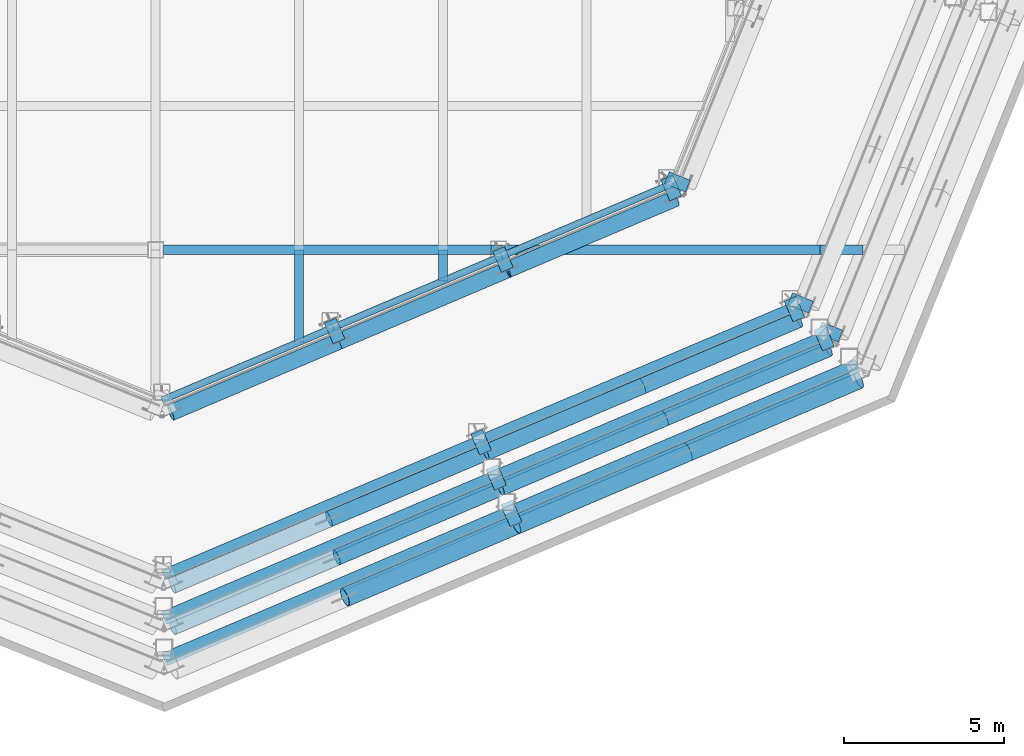
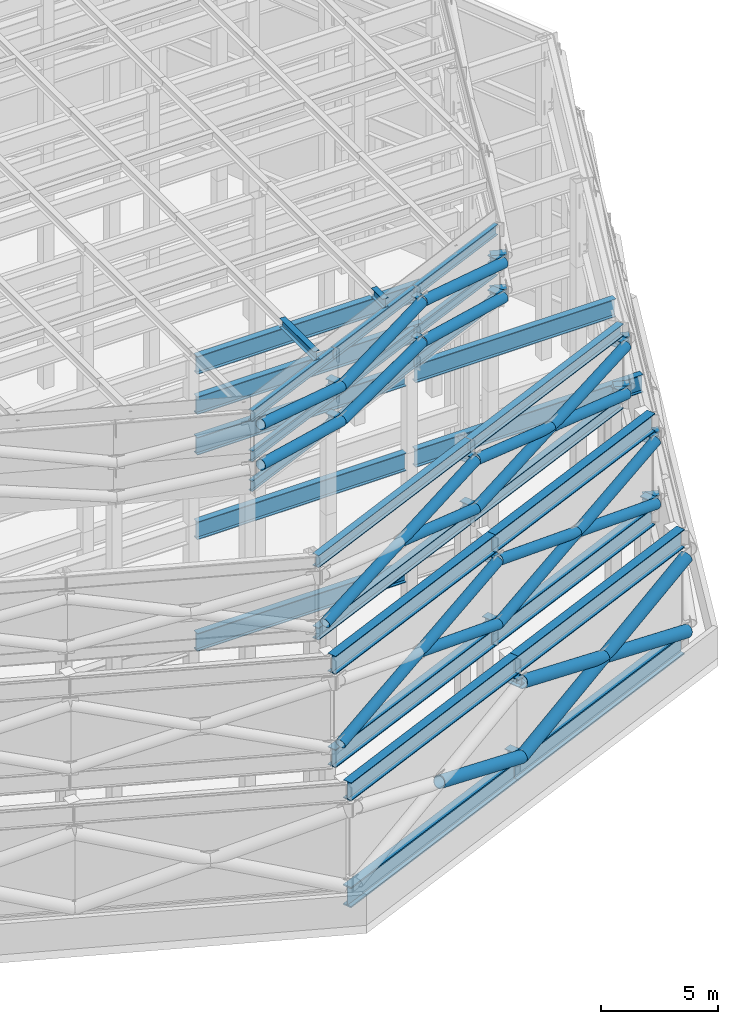
# One storey, part 6 of 19: 42 members, 30 beams.
"""IFC4 building model written with IfcOpenShell, lengths in metres."""

from ifc_helpers import new_model, si_unit, direction, frame, origin, origin_2d, place, context, subcontext, project, spatial, hollow_circle, i_section, extrude, material, material_profile, profile_set, type_object, element, save


model = new_model("IFC4")

# Units and contexts
model_context = context("Model", 3, precision=1e-05, world=origin(), true_north=direction((0.0, 1.0)))
body_context = subcontext(model_context, "Body", "Model", "MODEL_VIEW")
ifc_project = project(units=[si_unit("LENGTHUNIT", "METRE"), si_unit("AREAUNIT", "SQUARE_METRE"), si_unit("VOLUMEUNIT", "CUBIC_METRE"), si_unit("PLANEANGLEUNIT", "RADIAN"), si_unit("MASSUNIT", "GRAM", prefix="KILO")], contexts=[model_context])

# Site, building, storey
site_placement = place(None, origin())
site = spatial("IfcSite", under=ifc_project, at=site_placement, CompositionType="ELEMENT")
building_placement = place(site_placement, origin())
building = spatial("IfcBuilding", under=site, at=building_placement, Name="Orlundy Tower", CompositionType="ELEMENT")
storey_placement = place(building_placement, frame((0.0, 0.0, 304.300048828125)))
storey = spatial("IfcBuildingStorey", under=building, at=storey_placement, Name="Roof", CompositionType="ELEMENT", Elevation=304.300048828125)

# Beams
ifc_material_1 = material(Name="Steel ASTM A992 Gr 50", Category="steel")
ifc_material_profile_1 = material_profile(ifc_material_1, i_section(OverallWidth=0.2802734375, OverallDepth=0.46240234375, WebThickness=0.0107421875, FlangeThickness=0.017333984375, at=origin_2d()), Name="W18X76")
ifc_profile_set_1 = profile_set([ifc_material_profile_1], Name="Steel ASTM A992 Gr 50")
beam_type_1 = type_object("IfcBeamType", Name="CROWN FRAME beam W18X76", PredefinedType="BEAM", material=ifc_profile_set_1)
beam_1_placement = place(storey_placement, frame((4.5, -20.889404296875, 21.131103515625), z_axis=(0.0, 1.0, 0.0), x_axis=(-1.0, 0.0, 0.0)))
element("IfcBeam", 1, at=beam_1_placement, inside=storey, type_object=beam_type_1, Name="CROWN FRAME secondary beam 07A", PredefinedType="BEAM", context=body_context, shape_type="SweptSolid", body=[
    extrude(i_section(OverallWidth=0.2802734375, OverallDepth=0.46240234375, WebThickness=0.0107421875, FlangeThickness=0.017333984375, at=origin_2d()), origin(), (0.0, 0.0, 1.0), 2.889404296875),
])
beam_2_placement = place(storey_placement, frame((9.0, -18.97900390625, 21.131103515625), z_axis=(0.0, 1.0, 0.0), x_axis=(-1.0, 0.0, 0.0)))
element("IfcBeam", 2, at=beam_2_placement, inside=storey, type_object=beam_type_1, Name="CROWN FRAME secondary beam 08A", PredefinedType="BEAM", context=body_context, shape_type="SweptSolid", body=[
    extrude(i_section(OverallWidth=0.2802734375, OverallDepth=0.46240234375, WebThickness=0.0107421875, FlangeThickness=0.017333984375, at=origin_2d()), origin(), (0.0, 0.0, 1.0), 0.97900390625),
])
ifc_material_2 = material(Name="Steel ASTM A992 Gr 50", Category="steel")
ifc_material_profile_2 = material_profile(ifc_material_2, i_section(OverallWidth=0.2138671875, OverallDepth=0.549072265625, WebThickness=0.0146484375, FlangeThickness=0.023681640625, at=origin_2d()), Name="W21X93")
ifc_profile_set_2 = profile_set([ifc_material_profile_2], Name="Steel ASTM A992 Gr 50")
beam_type_2 = type_object("IfcBeamType", Name="CROWN FRAME beam W21X93", PredefinedType="BEAM", material=ifc_profile_set_2)
beam_3_placement = place(storey_placement, frame((0.198486328125, -22.715087890625, 16.974365234375), z_axis=(0.920508748756, 0.390721951602, 0.0), x_axis=(-0.390721951602, 0.920508748756, 0.0)))
element("IfcBeam", 3, at=beam_3_placement, inside=storey, type_object=beam_type_2, Name="CROWN FRAME foot ring beam 4-16", PredefinedType="BEAM", context=body_context, shape_type="SweptSolid", body=[
    extrude(i_section(OverallWidth=0.2138671875, OverallDepth=0.549072265625, WebThickness=0.0146484375, FlangeThickness=0.023681640625, at=origin_2d()), origin(), (0.0, 0.0, 1.0), 5.82861328125),
])
beam_4_placement = place(storey_placement, frame((5.563720703125, -20.437744140625, 16.974365234375), z_axis=(0.920499581139, 0.390743549049, 0.0), x_axis=(-0.390743549049, 0.920499581139, 0.0)))
element("IfcBeam", 4, at=beam_4_placement, inside=storey, type_object=beam_type_2, Name="CROWN FRAME foot ring beam 4-17", PredefinedType="BEAM", context=body_context, shape_type="SweptSolid", body=[
    extrude(i_section(OverallWidth=0.2138671875, OverallDepth=0.549072265625, WebThickness=0.0146484375, FlangeThickness=0.023681640625, at=origin_2d()), origin(), (0.0, 0.0, 1.0), 5.72900390625),
])
for number, where, z_axis, x_axis, name in (
    (5, (10.837158203125, -18.19921875, 16.974365234375), (0.920508748756, 0.390721951602, 0.0), (-0.390721951602, 0.920508748756, 0.0), "CROWN FRAME foot ring beam 4-18"),
    (6, (0.198486328125, -22.715087890625, 18.525390625), (0.920508748756, 0.390721951602, 0.0), (-0.390721951602, 0.920508748756, 0.0), "CROWN FRAME head ring beam 4-16"),
):
    element("IfcBeam", number, at=place(storey_placement, frame(where, z_axis=z_axis, x_axis=x_axis)), inside=storey, type_object=beam_type_2, Name=name, PredefinedType="BEAM", context=body_context, shape_type="SweptSolid", body=[
        extrude(i_section(OverallWidth=0.2138671875, OverallDepth=0.549072265625, WebThickness=0.0146484375, FlangeThickness=0.023681640625, at=origin_2d()), origin(), (0.0, 0.0, 1.0), 5.82861328125),
    ])
beam_5_placement = place(storey_placement, frame((5.563720703125, -20.437744140625, 18.525390625), z_axis=(0.920499581139, 0.390743549049, 0.0), x_axis=(-0.390743549049, 0.920499581139, 0.0)))
element("IfcBeam", 7, at=beam_5_placement, inside=storey, type_object=beam_type_2, Name="CROWN FRAME head ring beam 4-17", PredefinedType="BEAM", context=body_context, shape_type="SweptSolid", body=[
    extrude(i_section(OverallWidth=0.2138671875, OverallDepth=0.549072265625, WebThickness=0.0146484375, FlangeThickness=0.023681640625, at=origin_2d()), origin(), (0.0, 0.0, 1.0), 5.72900390625),
])
for number, where, z_axis, x_axis, name in (
    (8, (10.837158203125, -18.19921875, 18.525390625), (0.920508748756, 0.390721951602, 0.0), (-0.390721951602, 0.920508748756, 0.0), "CROWN FRAME head ring beam 4-18"),
    (9, (0.198486328125, -22.715087890625, 20.62548828125), (0.920508748756, 0.390721951602, 0.0), (-0.390721951602, 0.920508748756, 0.0), "CROWN FRAME head ring beam 5-16"),
):
    element("IfcBeam", number, at=place(storey_placement, frame(where, z_axis=z_axis, x_axis=x_axis)), inside=storey, type_object=beam_type_2, Name=name, PredefinedType="BEAM", context=body_context, shape_type="SweptSolid", body=[
        extrude(i_section(OverallWidth=0.2138671875, OverallDepth=0.549072265625, WebThickness=0.0146484375, FlangeThickness=0.023681640625, at=origin_2d()), origin(), (0.0, 0.0, 1.0), 5.82861328125),
    ])
beam_6_placement = place(storey_placement, frame((5.563720703125, -20.437744140625, 20.62548828125), z_axis=(0.920499581139, 0.390743549049, 0.0), x_axis=(-0.390743549049, 0.920499581139, 0.0)))
element("IfcBeam", 10, at=beam_6_placement, inside=storey, type_object=beam_type_2, Name="CROWN FRAME head ring beam 5-17", PredefinedType="BEAM", context=body_context, shape_type="SweptSolid", body=[
    extrude(i_section(OverallWidth=0.2138671875, OverallDepth=0.549072265625, WebThickness=0.0146484375, FlangeThickness=0.023681640625, at=origin_2d()), origin(), (0.0, 0.0, 1.0), 5.72900390625),
])
beam_7_placement = place(storey_placement, frame((10.837158203125, -18.19921875, 20.62548828125), z_axis=(0.920508748756, 0.390721951602, 0.0), x_axis=(-0.390721951602, 0.920508748756, 0.0)))
element("IfcBeam", 11, at=beam_7_placement, inside=storey, type_object=beam_type_2, Name="CROWN FRAME head ring beam 5-18", PredefinedType="BEAM", context=body_context, shape_type="SweptSolid", body=[
    extrude(i_section(OverallWidth=0.2138671875, OverallDepth=0.549072265625, WebThickness=0.0146484375, FlangeThickness=0.023681640625, at=origin_2d()), origin(), (0.0, 0.0, 1.0), 5.82861328125),
])
ifc_material_3 = material(Name="Steel ASTM A992 Gr 50", Category="steel")
ifc_material_profile_3 = material_profile(ifc_material_3, i_section(OverallWidth=0.3291015625, OverallDepth=0.635009765625, WebThickness=0.017822265625, FlangeThickness=0.031005859375, at=origin_2d()), Name="W24X162")
ifc_profile_set_3 = profile_set([ifc_material_profile_3], Name="Steel ASTM A992 Gr 50")
beam_type_3 = type_object("IfcBeamType", Name="CROWN FRAME beam W24X162", PredefinedType="BEAM", material=ifc_profile_set_3)
for number, where, z_axis, x_axis, name in (
    (12, (0.24609375, -28.189208984375, 12.617431640625), (0.920509030245, 0.390721288437, 0.0), (-0.390721288437, 0.920509030245, 0.0), "CROWN FRAME foot ring beam 3-11"),
    (13, (10.176513671875, -23.97412109375, 12.617431640625), (0.920500890656, 0.39074046412, 0.0), (-0.39074046412, 0.920500890656, 0.0), "CROWN FRAME foot ring beam 3-12"),
    (14, (0.24609375, -28.189208984375, 16.382568359375), (0.920509030245, 0.390721288437, 0.0), (-0.390721288437, 0.920509030245, 0.0), "CROWN FRAME head ring beam 3-11"),
    (15, (10.176513671875, -23.97412109375, 16.382568359375), (0.920500890656, 0.39074046412, 0.0), (-0.39074046412, 0.920500890656, 0.0), "CROWN FRAME head ring beam 3-12"),
):
    element("IfcBeam", number, at=place(storey_placement, frame(where, z_axis=z_axis, x_axis=x_axis)), inside=storey, type_object=beam_type_3, Name=name, PredefinedType="BEAM", context=body_context, shape_type="SweptSolid", body=[
        extrude(i_section(OverallWidth=0.3291015625, OverallDepth=0.635009765625, WebThickness=0.017822265625, FlangeThickness=0.031005859375, at=origin_2d()), origin(), (0.0, 0.0, 1.0), 10.7880859375),
    ])
ifc_material_4 = material(Name="Steel ASTM A992 Gr 50", Category="steel")
ifc_material_profile_4 = material_profile(ifc_material_4, i_section(OverallWidth=0.3076171875, OverallDepth=0.9267578125, WebThickness=0.01953125, FlangeThickness=0.031982421875, at=origin_2d()), Name="W36X194")
ifc_profile_set_4 = profile_set([ifc_material_profile_4], Name="Steel ASTM A992 Gr 50")
beam_type_4 = type_object("IfcBeamType", Name="CROWN FRAME beam W36X194", PredefinedType="BEAM", material=ifc_profile_set_4)
for number, where, z_axis, x_axis, name in (
    (16, (0.228515625, -18.0, 6.03662109375), (1.0, 0.0, 0.0), (0.0, 1.0, 0.0), "CROWN FRAME primary beam 1B frame 1"),
    (17, (0.228515625, -18.0, 11.836669921875), (1.0, 0.0, 0.0), (0.0, 1.0, 0.0), "CROWN FRAME primary beam 1B frame 2"),
):
    element("IfcBeam", number, at=place(storey_placement, frame(where, z_axis=z_axis, x_axis=x_axis)), inside=storey, type_object=beam_type_4, Name=name, PredefinedType="BEAM", context=body_context, shape_type="SweptSolid", body=[
        extrude(i_section(OverallWidth=0.3076171875, OverallDepth=0.9267578125, WebThickness=0.01953125, FlangeThickness=0.031982421875, at=origin_2d()), origin(), (0.0, 0.0, 1.0), 10.285888671875),
    ])
beam_8_placement = place(storey_placement, frame((10.971435546875, -18.0, 11.836669921875), z_axis=(1.0, 0.0, 0.0), x_axis=(0.0, 1.0, 0.0)))
element("IfcBeam", 18, at=beam_8_placement, inside=storey, type_object=beam_type_4, Name="CROWN FRAME primary beam 1C frame 2", PredefinedType="BEAM", context=body_context, shape_type="SweptSolid", body=[
    extrude(i_section(OverallWidth=0.3076171875, OverallDepth=0.9267578125, WebThickness=0.01953125, FlangeThickness=0.031982421875, at=origin_2d()), origin(), (0.0, 0.0, 1.0), 11.19091796875),
])
beam_9_placement = place(storey_placement, frame((0.228515625, -18.0, 16.236572265625), z_axis=(1.0, 0.0, 0.0), x_axis=(0.0, 1.0, 0.0)))
element("IfcBeam", 19, at=beam_9_placement, inside=storey, type_object=beam_type_4, Name="CROWN FRAME primary beam 1B frame 3", PredefinedType="BEAM", context=body_context, shape_type="SweptSolid", body=[
    extrude(i_section(OverallWidth=0.3076171875, OverallDepth=0.9267578125, WebThickness=0.01953125, FlangeThickness=0.031982421875, at=origin_2d()), origin(), (0.0, 0.0, 1.0), 10.285888671875),
])
beam_10_placement = place(storey_placement, frame((10.971435546875, -18.0, 16.236572265625), z_axis=(1.0, 0.0, 0.0), x_axis=(0.0, 1.0, 0.0)))
element("IfcBeam", 20, at=beam_10_placement, inside=storey, type_object=beam_type_4, Name="CROWN FRAME primary beam 1C frame 3", PredefinedType="BEAM", context=body_context, shape_type="SweptSolid", body=[
    extrude(i_section(OverallWidth=0.3076171875, OverallDepth=0.9267578125, WebThickness=0.01953125, FlangeThickness=0.031982421875, at=origin_2d()), origin(), (0.0, 0.0, 1.0), 9.845947265625),
])
for number, where, z_axis, x_axis, name in (
    (21, (0.228515625, -18.0, 18.336669921875), (1.0, 0.0, 0.0), (0.0, 1.0, 0.0), "CROWN FRAME primary beam 1B frame 4"),
    (22, (0.228515625, -18.0, 20.4365234375), (1.0, 0.0, 0.0), (0.0, 1.0, 0.0), "CROWN FRAME primary beam 1B frame 5"),
):
    element("IfcBeam", number, at=place(storey_placement, frame(where, z_axis=z_axis, x_axis=x_axis)), inside=storey, type_object=beam_type_4, Name=name, PredefinedType="BEAM", context=body_context, shape_type="SweptSolid", body=[
        extrude(i_section(OverallWidth=0.3076171875, OverallDepth=0.9267578125, WebThickness=0.01953125, FlangeThickness=0.031982421875, at=origin_2d()), origin(), (0.0, 0.0, 1.0), 11.078125),
    ])
ifc_material_5 = material(Name="Steel ASTM A992 Gr 50", Category="steel")
ifc_material_profile_5 = material_profile(ifc_material_5, i_section(OverallWidth=0.423095703125, OverallDepth=0.947265625, WebThickness=0.02392578125, FlangeThickness=0.042724609375, at=origin_2d()), Name="W36X302")
ifc_profile_set_5 = profile_set([ifc_material_profile_5], Name="Steel ASTM A992 Gr 50")
beam_type_5 = type_object("IfcBeamType", Name="CROWN FRAME beam W36X302", PredefinedType="BEAM", material=ifc_profile_set_5)
beam_11_placement = place(storey_placement, frame((0.269287109375, -30.837890625, 6.0263671875), z_axis=(0.920503781258, 0.390733654412, 0.0), x_axis=(-0.390733654412, 0.920503781258, 0.0)))
element("IfcBeam", 23, at=beam_11_placement, inside=storey, type_object=beam_type_5, Name="CROWN FRAME head ring beam 1-11", PredefinedType="BEAM", context=body_context, shape_type="SweptSolid", body=[
    extrude(i_section(OverallWidth=0.423095703125, OverallDepth=0.947265625, WebThickness=0.02392578125, FlangeThickness=0.042724609375, at=origin_2d()), origin(), (0.0, 0.0, 1.0), 11.8017578125),
])
beam_12_placement = place(storey_placement, frame((11.1328125, -26.2265625, 6.0263671875), z_axis=(0.920500622845, 0.390741095026, 0.0), x_axis=(-0.390741095026, 0.920500622845, 0.0)))
element("IfcBeam", 24, at=beam_12_placement, inside=storey, type_object=beam_type_5, Name="CROWN FRAME head ring beam 1-12", PredefinedType="BEAM", context=body_context, shape_type="SweptSolid", body=[
    extrude(i_section(OverallWidth=0.423095703125, OverallDepth=0.947265625, WebThickness=0.02392578125, FlangeThickness=0.042724609375, at=origin_2d()), origin(), (0.0, 0.0, 1.0), 11.801513671875),
])
beam_13_placement = place(storey_placement, frame((0.2578125, -29.5390625, 6.9736328125), z_axis=(0.92050011589, 0.390742289299, 0.0), x_axis=(-0.390742289299, 0.92050011589, 0.0)))
element("IfcBeam", 25, at=beam_13_placement, inside=storey, type_object=beam_type_5, Name="CROWN FRAME foot ring beam 2-11", PredefinedType="BEAM", context=body_context, shape_type="SweptSolid", body=[
    extrude(i_section(OverallWidth=0.423095703125, OverallDepth=0.947265625, WebThickness=0.02392578125, FlangeThickness=0.042724609375, at=origin_2d()), origin(), (0.0, 0.0, 1.0), 11.3046875),
])
beam_14_placement = place(storey_placement, frame((10.663818359375, -25.121826171875, 6.9736328125), z_axis=(0.920504586369, 0.390731757698, 0.0), x_axis=(-0.390731757698, 0.920504586369, 0.0)))
element("IfcBeam", 26, at=beam_14_placement, inside=storey, type_object=beam_type_5, Name="CROWN FRAME foot ring beam 2-12", PredefinedType="BEAM", context=body_context, shape_type="SweptSolid", body=[
    extrude(i_section(OverallWidth=0.423095703125, OverallDepth=0.947265625, WebThickness=0.02392578125, FlangeThickness=0.042724609375, at=origin_2d()), origin(), (0.0, 0.0, 1.0), 11.304443359375),
])
beam_15_placement = place(storey_placement, frame((0.2578125, -29.5390625, 11.826416015625), z_axis=(0.92050011589, 0.390742289299, 0.0), x_axis=(-0.390742289299, 0.92050011589, 0.0)))
element("IfcBeam", 27, at=beam_15_placement, inside=storey, type_object=beam_type_5, Name="CROWN FRAME head ring beam 2-11", PredefinedType="BEAM", context=body_context, shape_type="SweptSolid", body=[
    extrude(i_section(OverallWidth=0.423095703125, OverallDepth=0.947265625, WebThickness=0.02392578125, FlangeThickness=0.042724609375, at=origin_2d()), origin(), (0.0, 0.0, 1.0), 11.3046875),
])
beam_16_placement = place(storey_placement, frame((10.663818359375, -25.121826171875, 11.826416015625), z_axis=(0.920504586369, 0.390731757698, 0.0), x_axis=(-0.390731757698, 0.920504586369, 0.0)))
element("IfcBeam", 28, at=beam_16_placement, inside=storey, type_object=beam_type_5, Name="CROWN FRAME head ring beam 2-12", PredefinedType="BEAM", context=body_context, shape_type="SweptSolid", body=[
    extrude(i_section(OverallWidth=0.423095703125, OverallDepth=0.947265625, WebThickness=0.02392578125, FlangeThickness=0.042724609375, at=origin_2d()), origin(), (0.0, 0.0, 1.0), 11.304443359375),
])
ifc_material_6 = material(Name="Steel ASTM A992 Gr 50", Category="steel")
ifc_material_profile_6 = material_profile(ifc_material_6, i_section(OverallWidth=0.41650390625, OverallDepth=1.068115234375, WebThickness=0.0390625, FlangeThickness=0.070068359375, at=origin_2d()), Name="W40X503")
ifc_profile_set_6 = profile_set([ifc_material_profile_6], Name="Steel ASTM A992 Gr 50")
beam_type_6 = type_object("IfcBeamType", Name="CROWN FRAME beam W40X503", PredefinedType="BEAM", material=ifc_profile_set_6)
beam_17_placement = place(storey_placement, frame((0.269287109375, -30.834228515625, 0.533935546875), z_axis=(0.92050715321, 0.390725710556, 0.0), x_axis=(-0.390725710556, 0.92050715321, 0.0)))
element("IfcBeam", 29, at=beam_17_placement, inside=storey, type_object=beam_type_6, Name="CROWN FRAME foot ring beam 1-11", PredefinedType="BEAM", context=body_context, shape_type="SweptSolid", body=[
    extrude(i_section(OverallWidth=0.41650390625, OverallDepth=1.068115234375, WebThickness=0.0390625, FlangeThickness=0.070068359375, at=origin_2d()), origin(), (0.0, 0.0, 1.0), 11.800048828125),
])
beam_18_placement = place(storey_placement, frame((11.13134765625, -26.2236328125, 0.533935546875), z_axis=(0.920502870511, 0.390735799974, 0.0), x_axis=(-0.390735799974, 0.920502870511, 0.0)))
element("IfcBeam", 30, at=beam_18_placement, inside=storey, type_object=beam_type_6, Name="CROWN FRAME foot ring beam 1-12", PredefinedType="BEAM", context=body_context, shape_type="SweptSolid", body=[
    extrude(i_section(OverallWidth=0.41650390625, OverallDepth=1.068115234375, WebThickness=0.0390625, FlangeThickness=0.070068359375, at=origin_2d()), origin(), (0.0, 0.0, 1.0), 11.80029296875),
])

# Members
ifc_material_7 = material(Name="Steel ASTM A500 Gr C", Category="steel")
ifc_material_profile_7 = material_profile(ifc_material_7, hollow_circle(Radius=0.25390625, WallThickness=0.01171875, at=origin_2d()), Name="HSS20.000X0.500")
ifc_profile_set_7 = profile_set([ifc_material_profile_7], Name="Steel ASTM A500 Gr C")
member_type_1 = type_object("IfcMemberType", Name="CROWN FRAME diagonal HSS20.000X0.500", PredefinedType="BRACE", material=ifc_profile_set_7)
member_1_placement = place(storey_placement, frame((0.53125, -29.816650390625, 7.7470703125), z_axis=(0.882610370828, 0.374642232115, 0.283975582088), x_axis=(-0.390727909284, 0.920506219917, 0.0)))
element("IfcMember", 31, at=member_1_placement, inside=storey, type_object=member_type_1, Name="CROWN FRAME brace 2-11a", PredefinedType="BRACE", context=body_context, shape_type="SweptSolid", body=[
    extrude(hollow_circle(Radius=0.25390625, WallThickness=0.01171875, at=origin_2d()), origin(), (0.0, 0.0, 1.0), 11.640625),
])
member_2_placement = place(storey_placement, frame((10.805419921875, -25.45556640625, 7.7470703125), z_axis=(-0.882598800311, -0.374667196634, 0.283978607391), x_axis=(0.390754310832, -0.920495012787, 0.0)))
element("IfcMember", 32, at=member_2_placement, inside=storey, type_object=member_type_1, Name="CROWN FRAME brace 2-11ba", PredefinedType="BRACE", context=body_context, shape_type="SweptSolid", body=[
    extrude(hollow_circle(Radius=0.25390625, WallThickness=0.01171875, at=origin_2d()), origin(), (0.0, 0.0, 1.0), 5.8203125),
])
member_3_placement = place(storey_placement, frame((10.805419921875, -25.45556640625, 7.7470703125), z_axis=(0.882610370828, 0.374642232115, 0.283975582088), x_axis=(-0.390727909284, 0.920506219917, 0.0)))
element("IfcMember", 33, at=member_3_placement, inside=storey, type_object=member_type_1, Name="CROWN FRAME brace 2-12a", PredefinedType="BRACE", context=body_context, shape_type="SweptSolid", body=[
    extrude(hollow_circle(Radius=0.25390625, WallThickness=0.01171875, at=origin_2d()), origin(), (0.0, 0.0, 1.0), 11.640625),
])
for number, where, z_axis, x_axis, name in (
    (34, (21.07958984375, -21.094482421875, 7.7470703125), (-0.882621940422, -0.374617267841, 0.283972556632), (0.390701508026, -0.920517426031, 0.0), "CROWN FRAME brace 2-12ba"),
    (35, (15.9423828125, -23.27490234375, 9.39990234375), (-0.882598800311, -0.374667196634, 0.283978607391), (0.390754310832, -0.920495012787, 0.0), "CROWN FRAME brace 2-12bb"),
):
    element("IfcMember", number, at=place(storey_placement, frame(where, z_axis=z_axis, x_axis=x_axis)), inside=storey, type_object=member_type_1, Name=name, PredefinedType="BRACE", context=body_context, shape_type="SweptSolid", body=[
        extrude(hollow_circle(Radius=0.25390625, WallThickness=0.01171875, at=origin_2d()), origin(), (0.0, 0.0, 1.0), 5.8203125),
    ])
member_4_placement = place(storey_placement, frame((0.52001953125, -28.517822265625, 13.23486328125), z_axis=(0.895646062431, 0.380172884687, 0.230839140096), x_axis=(-0.390725630766, 0.920507187078, 0.0)))
element("IfcMember", 36, at=member_4_placement, inside=storey, type_object=member_type_1, Name="CROWN FRAME brace 3-11a", PredefinedType="BRACE", context=body_context, shape_type="SweptSolid", body=[
    extrude(hollow_circle(Radius=0.25390625, WallThickness=0.01171875, at=origin_2d()), origin(), (0.0, 0.0, 1.0), 10.960205078125),
])
member_5_placement = place(storey_placement, frame((10.33642578125, -24.35107421875, 13.23486328125), z_axis=(-0.895633872055, -0.380189985283, 0.230858273229), x_axis=(0.390745029048, -0.920498952892, 0.0)))
element("IfcMember", 37, at=member_5_placement, inside=storey, type_object=member_type_1, Name="CROWN FRAME brace 3-11ba", PredefinedType="BRACE", context=body_context, shape_type="SweptSolid", body=[
    extrude(hollow_circle(Radius=0.25390625, WallThickness=0.01171875, at=origin_2d()), origin(), (0.0, 0.0, 1.0), 5.480224609375),
])
member_6_placement = place(storey_placement, frame((10.33642578125, -24.35107421875, 13.23486328125), z_axis=(0.895642884147, 0.380184355408, 0.23083257998), x_axis=(-0.390736794889, 0.920502448188, 0.0)))
element("IfcMember", 38, at=member_6_placement, inside=storey, type_object=member_type_1, Name="CROWN FRAME brace 3-12a", PredefinedType="BRACE", context=body_context, shape_type="SweptSolid", body=[
    extrude(hollow_circle(Radius=0.25390625, WallThickness=0.01171875, at=origin_2d()), origin(), (0.0, 0.0, 1.0), 10.96044921875),
])
for number, where, z_axis, x_axis, name in (
    (39, (20.153076171875, -20.18408203125, 13.23486328125), (-0.895633872055, -0.380189985283, 0.230858273229), (0.390745029048, -0.920498952892, 0.0), "CROWN FRAME brace 3-12ba"),
    (40, (15.244873046875, -22.267578125, 14.5), (-0.895651895279, -0.380178725407, 0.230806887314), (0.390728561045, -0.920505943264, 0.0), "CROWN FRAME brace 3-12bb"),
):
    element("IfcMember", number, at=place(storey_placement, frame(where, z_axis=z_axis, x_axis=x_axis)), inside=storey, type_object=member_type_1, Name=name, PredefinedType="BRACE", context=body_context, shape_type="SweptSolid", body=[
        extrude(hollow_circle(Radius=0.25390625, WallThickness=0.01171875, at=origin_2d()), origin(), (0.0, 0.0, 1.0), 5.480224609375),
    ])
for number, where, z_axis, x_axis, name in (
    (41, (5.74609375, -20.86767578125, 17.299072265625), (-0.909301454544, -0.385990047996, 0.155507387643), (0.390743549049, -0.920499581139, 0.0), "CROWN FRAME brace 4-16b"),
    (42, (5.74609375, -20.86767578125, 17.299072265625), (0.909301454544, 0.385990047996, 0.155507387643), (-0.390743549049, 0.920499581139, 0.0), "CROWN FRAME brace 4-17a"),
    (43, (16.29296875, -16.390869140625, 17.299072265625), (-0.909316229461, -0.385954221838, 0.155509914427), (0.390707439016, -0.920514908677, 0.0), "CROWN FRAME brace 4-18b"),
):
    element("IfcMember", number, at=place(storey_placement, frame(where, z_axis=z_axis, x_axis=x_axis)), inside=storey, type_object=member_type_1, Name=name, PredefinedType="BRACE", context=body_context, shape_type="SweptSolid", body=[
        extrude(hollow_circle(Radius=0.25390625, WallThickness=0.01171875, at=origin_2d()), origin(), (0.0, 0.0, 1.0), 5.79931640625),
    ])
for number, where, z_axis, x_axis, name in (
    (44, (5.74609375, -20.86767578125, 19.099853515625), (-0.900917712693, -0.382431227207, 0.205167325404), (0.390743549049, -0.920499581139, 0.0), "CROWN FRAME brace 5-16b"),
    (45, (5.74609375, -20.86767578125, 19.099853515625), (0.900917712693, 0.382431227207, 0.205167325404), (-0.390743549049, 0.920499581139, 0.0), "CROWN FRAME brace 5-17a"),
):
    element("IfcMember", number, at=place(storey_placement, frame(where, z_axis=z_axis, x_axis=x_axis)), inside=storey, type_object=member_type_1, Name=name, PredefinedType="BRACE", context=body_context, shape_type="SweptSolid", body=[
        extrude(hollow_circle(Radius=0.25390625, WallThickness=0.01171875, at=origin_2d()), origin(), (0.0, 0.0, 1.0), 5.853515625),
    ])
member_7_placement = place(storey_placement, frame((16.29296875, -16.390869140625, 19.099853515625), z_axis=(-0.900932082685, -0.382395617318, 0.205170597904), x_axis=(0.390707439016, -0.920514908677, 0.0)))
element("IfcMember", 46, at=member_7_placement, inside=storey, type_object=member_type_1, Name="CROWN FRAME brace 5-18b", PredefinedType="BRACE", context=body_context, shape_type="SweptSolid", body=[
    extrude(hollow_circle(Radius=0.25390625, WallThickness=0.01171875, at=origin_2d()), origin(), (0.0, 0.0, 1.0), 5.853271484375),
])
ifc_material_8 = material(Name="Steel ASTM A1085 Gr A", Category="steel")
ifc_material_profile_8 = material_profile(ifc_material_8, hollow_circle(Radius=0.3046875, WallThickness=0.023681640625, at=origin_2d()), Name="HSS24.000X1.000")
ifc_profile_set_8 = profile_set([ifc_material_profile_8], Name="Steel ASTM A1085 Gr A")
member_type_2 = type_object("IfcMemberType", Name="CROWN FRAME diagonal HSS24.000X1.000", PredefinedType="BRACE", material=ifc_profile_set_8)
member_8_placement = place(storey_placement, frame((11.294189453125, -26.60693359375, 1.3681640625), z_axis=(-0.873318723065, -0.37068066643, 0.316085829291), x_axis=(0.390712249629, -0.920512866825, 0.0)))
element("IfcMember", 47, at=member_8_placement, inside=storey, type_object=member_type_2, Name="CROWN FRAME brace 1-11ba", PredefinedType="BRACE", context=body_context, shape_type="SweptSolid", body=[
    extrude(hollow_circle(Radius=0.3046875, WallThickness=0.023681640625, at=origin_2d()), origin(), (0.0, 0.0, 1.0), 6.144287109375),
])
member_9_placement = place(storey_placement, frame((11.294189453125, -26.60693359375, 1.3681640625), z_axis=(0.873302092117, 0.370701907246, 0.316106867795), x_axis=(-0.390737525222, 0.920502138174, 0.0)))
element("IfcMember", 48, at=member_9_placement, inside=storey, type_object=member_type_2, Name="CROWN FRAME brace 1-12a", PredefinedType="BRACE", context=body_context, shape_type="SweptSolid", body=[
    extrude(hollow_circle(Radius=0.3046875, WallThickness=0.023681640625, at=origin_2d()), origin(), (0.0, 0.0, 1.0), 12.28857421875),
])
member_10_placement = place(storey_placement, frame((22.02587890625, -22.051513671875, 1.3681640625), z_axis=(-0.8733058598, -0.370714940258, 0.316081173607), x_axis=(0.39074773677, -0.920497803479, 0.0)))
element("IfcMember", 49, at=member_10_placement, inside=storey, type_object=member_type_2, Name="CROWN FRAME brace 1-12ba", PredefinedType="BRACE", context=body_context, shape_type="SweptSolid", body=[
    extrude(hollow_circle(Radius=0.3046875, WallThickness=0.023681640625, at=origin_2d()), origin(), (0.0, 0.0, 1.0), 6.14453125),
])
member_11_placement = place(storey_placement, frame((16.659912109375, -24.329345703125, 3.310302734375), z_axis=(-0.873298323559, -0.370688873441, 0.316132562664), x_axis=(0.390727313066, -0.920506472994, 0.0)))
element("IfcMember", 50, at=member_11_placement, inside=storey, type_object=member_type_2, Name="CROWN FRAME brace 1-12bb", PredefinedType="BRACE", context=body_context, shape_type="SweptSolid", body=[
    extrude(hollow_circle(Radius=0.3046875, WallThickness=0.023681640625, at=origin_2d()), origin(), (0.0, 0.0, 1.0), 6.144287109375),
])
ifc_material_9 = material(Name="Steel ASTM A992 Gr 50", Category="steel")
ifc_material_profile_9 = material_profile(ifc_material_9, i_section(OverallWidth=0.39892578125, OverallDepth=0.393310546875, WebThickness=0.022705078125, FlangeThickness=0.03662109375, at=origin_2d()), Name="W14X193")
ifc_profile_set_9 = profile_set([ifc_material_profile_9], Name="Steel ASTM A992 Gr 50")
member_type_3 = type_object("IfcMemberType", Name="CROWN FRAME strut W14X193", PredefinedType="STRUT", material=ifc_profile_set_9)
for number, where, z_axis, x_axis, name in (
    (51, (10.997802734375, -25.908447265625, 5.252685546875), (0.390615950511, -0.9205537351, 0.0), (0.9205537351, 0.390615950511, 0.0), "CROWN FRAME brace connector 1-11A1"),
    (52, (10.997802734375, -25.908447265625, 1.3681640625), (0.390615950511, -0.9205537351, 0.0), (0.9205537351, 0.390615950511, 0.0), "CROWN FRAME brace connector 1-11B0"),
):
    element("IfcMember", number, at=place(storey_placement, frame(where, z_axis=z_axis, x_axis=x_axis)), inside=storey, type_object=member_type_3, Name=name, PredefinedType="STRUT", context=body_context, shape_type="SweptSolid", body=[
        extrude(i_section(OverallWidth=0.39892578125, OverallDepth=0.393310546875, WebThickness=0.022705078125, FlangeThickness=0.03662109375, at=origin_2d()), origin(), (0.0, 0.0, 1.0), 0.7587890625),
    ])
for number, where, z_axis, x_axis, name in (
    (53, (10.52880859375, -24.803955078125, 11.052734375), (0.390753546975, -0.920495337048, 0.0), (0.920495337048, 0.390753546975, 0.0), "CROWN FRAME brace connector 2-11A1"),
    (54, (10.52880859375, -24.803955078125, 7.7470703125), (0.390753546975, -0.920495337048, 0.0), (0.920495337048, 0.390753546975, 0.0), "CROWN FRAME brace connector 2-11B0"),
    (55, (20.802978515625, -20.442626953125, 11.052734375), (0.390629532578, -0.920547971742, 0.0), (0.920547971742, 0.390629532578, 0.0), "CROWN FRAME brace connector 2-12A1"),
    (56, (20.802978515625, -20.442626953125, 7.7470703125), (0.390629532578, -0.920547971742, 0.0), (0.920547971742, 0.390629532578, 0.0), "CROWN FRAME brace connector 2-12B0"),
):
    element("IfcMember", number, at=place(storey_placement, frame(where, z_axis=z_axis, x_axis=x_axis)), inside=storey, type_object=member_type_3, Name=name, PredefinedType="STRUT", context=body_context, shape_type="SweptSolid", body=[
        extrude(i_section(OverallWidth=0.39892578125, OverallDepth=0.393310546875, WebThickness=0.022705078125, FlangeThickness=0.03662109375, at=origin_2d()), origin(), (0.0, 0.0, 1.0), 0.7080078125),
    ])
for number, where, z_axis, x_axis, name in (
    (57, (20.802978515625, -20.442626953125, 7.7470703125), (0.927066713294, -0.374896397824, 0.0), (0.374896397824, 0.927066713294, 0.0), "CROWN FRAME brace connector 2-13A0"),
    (58, (20.802978515625, -20.442626953125, 11.052734375), (0.927066713294, -0.374896397824, 0.0), (0.374896397824, 0.927066713294, 0.0), "CROWN FRAME brace connector 2-13B1"),
):
    element("IfcMember", number, at=place(storey_placement, frame(where, z_axis=z_axis, x_axis=x_axis)), inside=storey, type_object=member_type_3, Name=name, PredefinedType="STRUT", context=body_context, shape_type="SweptSolid", body=[
        extrude(i_section(OverallWidth=0.39892578125, OverallDepth=0.393310546875, WebThickness=0.022705078125, FlangeThickness=0.03662109375, at=origin_2d()), origin(), (0.0, 0.0, 1.0), 0.707763671875),
    ])
for number, where, z_axis, x_axis, name in (
    (59, (10.059814453125, -23.69921875, 15.764892578125), (0.390629532578, -0.920547971742, 0.0), (0.920547971742, 0.390629532578, 0.0), "CROWN FRAME brace connector 3-11A1"),
    (60, (10.059814453125, -23.69921875, 13.23486328125), (0.390629532578, -0.920547971742, 0.0), (0.920547971742, 0.390629532578, 0.0), "CROWN FRAME brace connector 3-11B0"),
    (61, (19.87646484375, -19.5322265625, 15.764892578125), (0.390629532578, -0.920547971742, 0.0), (0.920547971742, 0.390629532578, 0.0), "CROWN FRAME brace connector 3-12A1"),
    (62, (19.87646484375, -19.5322265625, 13.23486328125), (0.390629532578, -0.920547971742, 0.0), (0.920547971742, 0.390629532578, 0.0), "CROWN FRAME brace connector 3-12B0"),
    (63, (19.87646484375, -19.5322265625, 13.23486328125), (0.927115163542, -0.374776564809, 0.0), (0.374776564809, 0.927115163542, 0.0), "CROWN FRAME brace connector 3-13A0"),
    (64, (19.87646484375, -19.5322265625, 15.764892578125), (0.927115163542, -0.374776564809, 0.0), (0.374776564809, 0.927115163542, 0.0), "CROWN FRAME brace connector 3-13B1"),
    (65, (5.469482421875, -20.216064453125, 17.299072265625), (0.390753546975, -0.920495337048, 0.0), (0.920495337048, 0.390753546975, 0.0), "CROWN FRAME brace connector 4-16B0"),
    (66, (10.742919921875, -17.9775390625, 18.200927734375), (0.390753546975, -0.920495337048, 0.0), (0.920495337048, 0.390753546975, 0.0), "CROWN FRAME brace connector 4-17A1"),
    (67, (16.016357421875, -15.739013671875, 17.299072265625), (0.390629532578, -0.920547971742, 0.0), (0.920547971742, 0.390629532578, 0.0), "CROWN FRAME brace connector 4-18B0"),
    (68, (16.016357421875, -15.739013671875, 17.299072265625), (0.927115163542, -0.374776564809, 0.0), (0.374776564809, 0.927115163542, 0.0), "CROWN FRAME brace connector 4-19A0"),
    (69, (5.469482421875, -20.216064453125, 19.099853515625), (0.390753546975, -0.920495337048, 0.0), (0.920495337048, 0.390753546975, 0.0), "CROWN FRAME brace connector 5-16B0"),
    (70, (10.742919921875, -17.9775390625, 20.30078125), (0.390753546975, -0.920495337048, 0.0), (0.920495337048, 0.390753546975, 0.0), "CROWN FRAME brace connector 5-17A1"),
    (71, (16.016357421875, -15.739013671875, 19.099853515625), (0.390629532578, -0.920547971742, 0.0), (0.920547971742, 0.390629532578, 0.0), "CROWN FRAME brace connector 5-18B0"),
    (72, (16.016357421875, -15.739013671875, 19.099853515625), (0.927115163542, -0.374776564809, 0.0), (0.374776564809, 0.927115163542, 0.0), "CROWN FRAME brace connector 5-19A0"),
):
    element("IfcMember", number, at=place(storey_placement, frame(where, z_axis=z_axis, x_axis=x_axis)), inside=storey, type_object=member_type_3, Name=name, PredefinedType="STRUT", context=body_context, shape_type="SweptSolid", body=[
        extrude(i_section(OverallWidth=0.39892578125, OverallDepth=0.393310546875, WebThickness=0.022705078125, FlangeThickness=0.03662109375, at=origin_2d()), origin(), (0.0, 0.0, 1.0), 0.7080078125),
    ])

save(model, "model.ifc")
